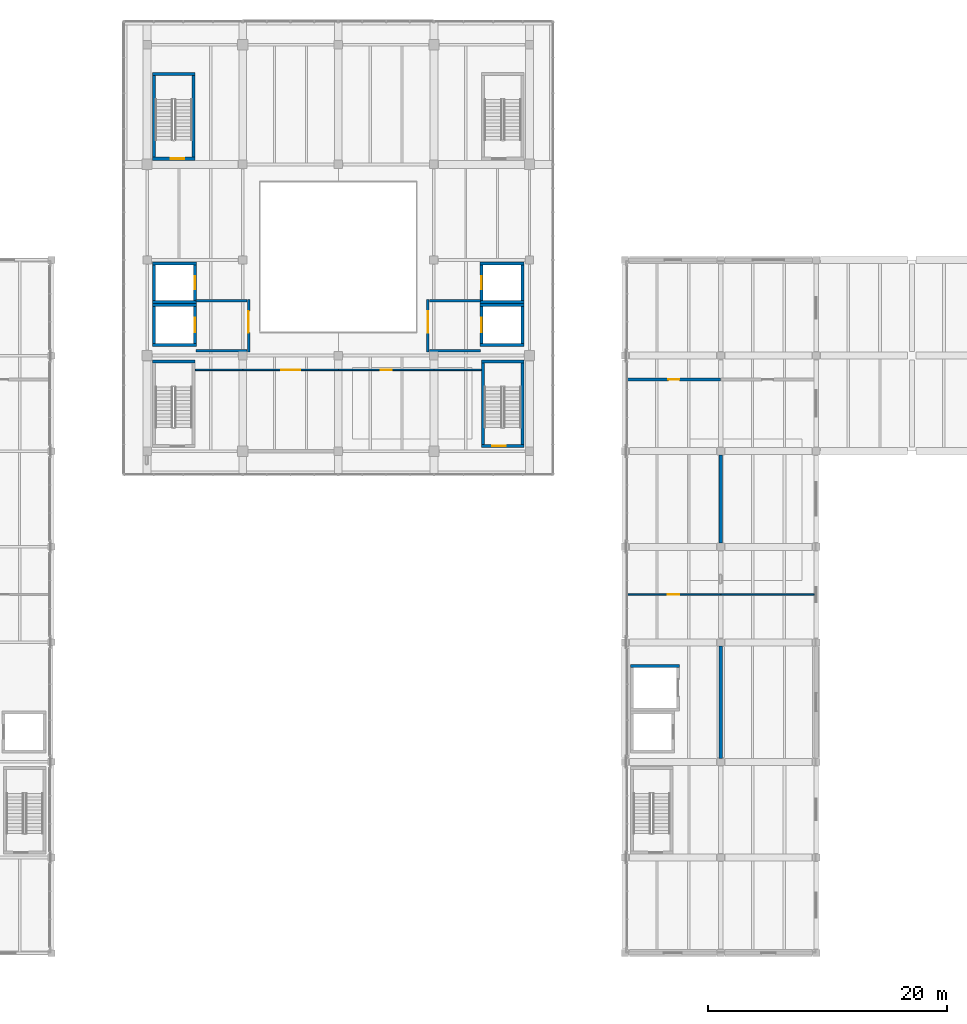
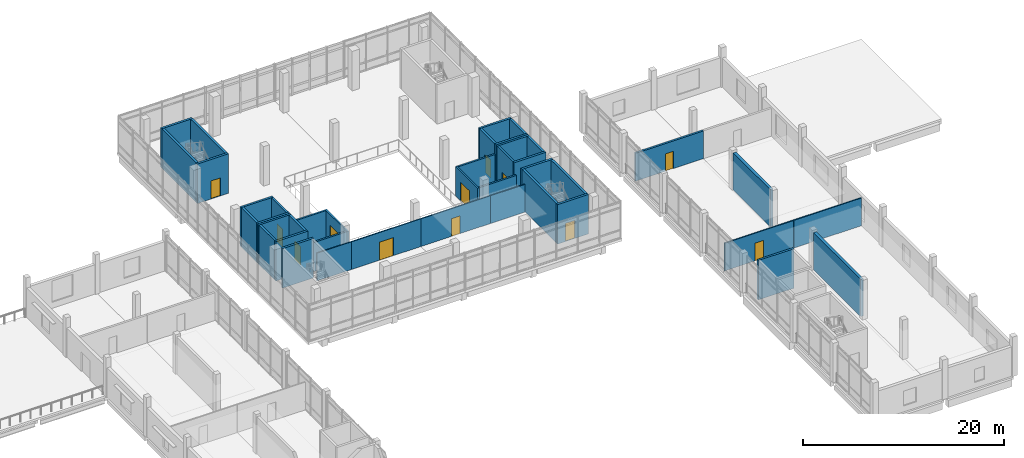
# One storey, part 35 of 47: 41 walls, 12 doors, 12 openings.
"""IFC4 building model written with IfcOpenShell, lengths in metres."""

from ifc_helpers import new_model, si_unit, direction, frame, frame_2d, origin, place, context, subcontext, project, spatial, rectangle, extrude, material, layer, layer_set, type_object, element, fill, save


model = new_model("IFC4")

# Units and contexts
model_context = context("Model", 3, precision=1e-05, world=origin(), true_north=direction((0.0, 1.0)))
body_context = subcontext(model_context, "Body", "Model", "MODEL_VIEW")
ifc_project = project(units=[si_unit("LENGTHUNIT", "METRE"), si_unit("AREAUNIT", "SQUARE_METRE"), si_unit("VOLUMEUNIT", "CUBIC_METRE"), si_unit("PLANEANGLEUNIT", "RADIAN"), si_unit("MASSUNIT", "GRAM", prefix="KILO")], contexts=[model_context])

# Site, building, storey
site_placement = place(None, origin())
site = spatial("IfcSite", under=ifc_project, at=site_placement, CompositionType="ELEMENT")
building_placement = place(site_placement, origin())
building = spatial("IfcBuilding", under=site, at=building_placement, Name="Pecanmere Concourse Central Library", CompositionType="ELEMENT")
storey_placement = place(building_placement, frame((0.0, 0.0, 15.300048828125)))
storey = spatial("IfcBuildingStorey", under=building, at=storey_placement, Name="L04", CompositionType="ELEMENT", Elevation=15.300048828125)

# Wall
ifc_material_1 = material(Name="Fire-rated gypsum board on acoustic steel stud", Category="steel")
ifc_layer_1 = layer(ifc_material_1, 0.114990234375, Name="IW_PART_115")
ifc_layer_set_1 = layer_set([ifc_layer_1], Name="Fire-rated gypsum board on acoustic steel stud")
wall_type_1 = type_object("IfcWallType", Name="IW_PART_115", PredefinedType="PARTITIONING", material=ifc_layer_set_1)
wall_1_placement = place(storey_placement, frame((76.030029296875, 96.800048828125, 0.0), z_axis=(0.0, 0.0, 1.0), x_axis=(1.0, 0.0, 0.0)))
element("IfcWall", 1, at=wall_1_placement, inside=storey, type_object=wall_type_1, Name="Interior Partition L04-0200", PredefinedType="PARTITIONING", context=body_context, shape_type="SweptSolid", body=[
    extrude(rectangle(XDim=3.969970703125, YDim=0.114990234375, at=frame_2d((1.98486328125, 0.0))), origin(), (0.0, 0.0, 1.0), 3.369873046875),
])

# Wall, opening, door
wall_2_placement = place(storey_placement, frame((80.02001953125, 96.800048828125, 0.0), z_axis=(0.0, 0.0, 1.0), x_axis=(1.0, 0.0, 0.0)))
wall_2 = element("IfcWall", 2, at=wall_2_placement, inside=storey, type_object=wall_type_1, Name="Interior Partition L04-0201", PredefinedType="PARTITIONING", context=body_context, shape_type="SweptSolid", body=[
    extrude(rectangle(XDim=7.97998046875, YDim=0.114990234375, at=frame_2d((3.989990234375, 0.0))), origin(), (0.0, 0.0, 1.0), 3.369873046875),
])
opening_1_placement = place(wall_2_placement, frame((3.18994140625, 0.0, 0.0)))
opening_1 = element("IfcOpeningElement", 3, at=opening_1_placement, cuts=wall_2, Name="Opening DT-02", PredefinedType="OPENING", context=body_context, shape_type="SweptSolid", body=[
    extrude(rectangle(XDim=1.60009765625, YDim=2.199951171875, at=frame_2d((0.800048828125, 1.10009765625))), frame((0.0, 0.0693359375, 0.0), z_axis=(0.0, -1.0, 0.0), x_axis=(1.0, 0.0, 0.0)), (0.0, 0.0, 1.0), 0.138916015625),
])
ifc_material_2 = material(Name="Solid white oak architectural joinery")
door_type_1 = type_object("IfcDoorType", Name="DT-02", OperationType="DOUBLE_DOOR_SINGLE_SWING", PredefinedType="DOOR", material=ifc_material_2)
door_1_placement = place(opening_1_placement, origin())
door_1 = element("IfcDoor", 4, at=door_1_placement, inside=storey, type_object=door_type_1, Name="D-224", OperationType="DOUBLE_DOOR_SINGLE_SWING", OverallHeight=2.199951171875, OverallWidth=1.60009765625, PredefinedType="DOOR", context=body_context, shape_type="SweptSolid", body=[
    extrude(rectangle(XDim=1.60009765625, YDim=2.199951171875, at=frame_2d((0.800048828125, 1.10009765625))), frame((0.0, 0.02490234375, 0.0), z_axis=(0.0, -1.0, 0.0), x_axis=(1.0, 0.0, 0.0)), (0.0, 0.0, 1.0), 0.050048828125),
])
fill(opening_1, door_1)

wall_3_placement = place(storey_placement, frame((88.02001953125, 96.800048828125, 0.0), z_axis=(0.0, 0.0, 1.0), x_axis=(1.0, 0.0, 0.0)))
wall_3 = element("IfcWall", 5, at=wall_3_placement, inside=storey, type_object=wall_type_1, Name="Interior Partition L04-0202", PredefinedType="PARTITIONING", context=body_context, shape_type="SweptSolid", body=[
    extrude(rectangle(XDim=7.97998046875, YDim=0.114990234375, at=frame_2d((3.989990234375, 0.0))), origin(), (0.0, 0.0, 1.0), 3.369873046875),
])
opening_2_placement = place(wall_3_placement, frame((3.514892578125, 0.0, 0.0)))
opening_2 = element("IfcOpeningElement", 6, at=opening_2_placement, cuts=wall_3, Name="Opening DT-06", PredefinedType="OPENING", context=body_context, shape_type="SweptSolid", body=[
    extrude(rectangle(XDim=0.949951171875, YDim=2.14990234375, at=frame_2d((0.47509765625, 1.074951171875))), frame((0.0, 0.0693359375, 0.0), z_axis=(0.0, -1.0, 0.0), x_axis=(1.0, 0.0, 0.0)), (0.0, 0.0, 1.0), 0.138916015625),
])
ifc_material_3 = material(Name="Solid white oak architectural joinery")
door_type_2 = type_object("IfcDoorType", Name="DT-06", OperationType="SINGLE_SWING_RIGHT", PredefinedType="DOOR", material=ifc_material_3)
door_2_placement = place(opening_2_placement, frame((0.949951171875, 0.0, 0.0), z_axis=(0.0, 0.0, 1.0), x_axis=(-1.0, 0.0, 0.0)))
door_2 = element("IfcDoor", 7, at=door_2_placement, inside=storey, type_object=door_type_2, Name="D-225", OperationType="SINGLE_SWING_RIGHT", OverallHeight=2.14990234375, OverallWidth=0.949951171875, PredefinedType="DOOR", context=body_context, shape_type="SweptSolid", body=[
    extrude(rectangle(XDim=0.949951171875, YDim=2.14990234375, at=frame_2d((0.47509765625, 1.074951171875))), frame((0.0, 0.02490234375, 0.0), z_axis=(0.0, -1.0, 0.0), x_axis=(1.0, 0.0, 0.0)), (0.0, 0.0, 1.0), 0.050048828125),
])
fill(opening_2, door_2)

# Wall
wall_4_placement = place(storey_placement, frame((96.02001953125, 96.800048828125, 0.0), z_axis=(0.0, 0.0, 1.0), x_axis=(1.0, 0.0, 0.0)))
element("IfcWall", 8, at=wall_4_placement, inside=storey, type_object=wall_type_1, Name="Interior Partition L04-0203", PredefinedType="PARTITIONING", context=body_context, shape_type="SweptSolid", body=[
    extrude(rectangle(XDim=3.949951171875, YDim=0.114990234375, at=frame_2d((1.97509765625, 0.0))), origin(), (0.0, 0.0, 1.0), 3.369873046875),
])

# Wall, opening, door
ifc_material_4 = material(Name="Fire-rated gypsum board on acoustic steel stud", Category="steel")
ifc_layer_2 = layer(ifc_material_4, 0.135009765625, Name="IW_PART_135")
ifc_layer_set_2 = layer_set([ifc_layer_2], Name="Fire-rated gypsum board on acoustic steel stud")
wall_type_2 = type_object("IfcWallType", Name="IW_PART_135", PredefinedType="PARTITIONING", material=ifc_layer_set_2)
wall_5_placement = place(storey_placement, frame((112.10009765625, 78.0, 0.0), z_axis=(0.0, 0.0, 1.0), x_axis=(1.0, 0.0, 0.0)))
wall_5 = element("IfcWall", 9, at=wall_5_placement, inside=storey, type_object=wall_type_2, Name="Interior Partition L04-0192", PredefinedType="PARTITIONING", context=body_context, shape_type="SweptSolid", body=[
    extrude(rectangle(XDim=7.89990234375, YDim=0.135009765625, at=frame_2d((3.949951171875, 0.0))), origin(), (0.0, 0.0, 1.0), 3.369873046875),
])
opening_3_placement = place(wall_5_placement, frame((3.449951171875, 0.0, 0.0)))
opening_3 = element("IfcOpeningElement", 10, at=opening_3_placement, cuts=wall_5, Name="Opening DT-03", PredefinedType="OPENING", context=body_context, shape_type="SweptSolid", body=[
    extrude(rectangle(XDim=1.0, YDim=2.14990234375, at=frame_2d((0.5, 1.074951171875))), frame((0.0, 0.07958984375, 0.0), z_axis=(0.0, -1.0, 0.0), x_axis=(1.0, 0.0, 0.0)), (0.0, 0.0, 1.0), 0.158935546875),
])
ifc_material_5 = material(Name="Solid white oak architectural joinery")
door_type_3 = type_object("IfcDoorType", Name="DT-03", OperationType="SINGLE_SWING_LEFT", PredefinedType="DOOR", material=ifc_material_5)
door_3_placement = place(opening_3_placement, frame((1.0, 0.0, 0.0), z_axis=(0.0, 0.0, 1.0), x_axis=(-1.0, 0.0, 0.0)))
door_3 = element("IfcDoor", 11, at=door_3_placement, inside=storey, type_object=door_type_3, Name="D-217", OperationType="SINGLE_SWING_LEFT", OverallHeight=2.14990234375, OverallWidth=1.0, PredefinedType="DOOR", context=body_context, shape_type="SweptSolid", body=[
    extrude(rectangle(XDim=1.0, YDim=2.14990234375, at=frame_2d((0.5, 1.074951171875))), frame((0.0, 0.02490234375, 0.0), z_axis=(0.0, -1.0, 0.0), x_axis=(1.0, 0.0, 0.0)), (0.0, 0.0, 1.0), 0.050048828125),
])
fill(opening_3, door_3)

# Walls
wall_6_placement = place(storey_placement, frame((120.02001953125, 78.0, 0.0), z_axis=(0.0, 0.0, 1.0), x_axis=(1.0, 0.0, 0.0)))
element("IfcWall", 12, at=wall_6_placement, inside=storey, type_object=wall_type_2, Name="Interior Partition L04-0193", PredefinedType="PARTITIONING", context=body_context, shape_type="SweptSolid", body=[
    extrude(rectangle(XDim=7.794921875, YDim=0.135009765625, at=frame_2d((3.8974609375, 0.0))), origin(), (0.0, 0.0, 1.0), 3.369873046875),
])
ifc_material_6 = material(Name="Fire-rated gypsum board on acoustic steel stud", Category="steel")
ifc_layer_3 = layer(ifc_material_6, 0.199951171875, Name="IW_PART_200")
ifc_layer_set_3 = layer_set([ifc_layer_3], Name="Fire-rated gypsum board on acoustic steel stud")
wall_type_3 = type_object("IfcWallType", Name="IW_PART_200", PredefinedType="PARTITIONING", material=ifc_layer_set_3)
for number, where, z_axis, x_axis, name in (
    (13, (76.10009765625, 98.39990234375, 0.0), (0.0, 0.0, 1.0), (1.0, 0.0, 0.0), "Firefighting Lobby Wall W-L04-S"),
    (14, (76.10009765625, 102.60009765625, 0.0), (0.0, 0.0, 1.0), (1.0, 0.0, 0.0), "Firefighting Lobby Wall W-L04-N"),
):
    element("IfcWall", number, at=place(storey_placement, frame(where, z_axis=z_axis, x_axis=x_axis)), inside=storey, type_object=wall_type_3, Name=name, PredefinedType="PARTITIONING", context=body_context, shape_type="SweptSolid", body=[
        extrude(rectangle(XDim=4.27978515625, YDim=0.199951171875, at=frame_2d((2.139892578125, 0.0))), origin(), (0.0, 0.0, 1.0), 3.5400390625),
    ])

# Wall, opening, door
wall_7_placement = place(storey_placement, frame((80.5, 98.300048828125, 0.0), z_axis=(0.0, 0.0, 1.0), x_axis=(0.0, 1.0, 0.0)))
wall_7 = element("IfcWall", 15, at=wall_7_placement, inside=storey, type_object=wall_type_3, Name="Firefighting Lobby Door Wall W-L04", PredefinedType="PARTITIONING", context=body_context, shape_type="SweptSolid", body=[
    extrude(rectangle(XDim=4.39990234375, YDim=0.199951171875, at=frame_2d((2.199951171875, 0.0))), origin(), (0.0, 0.0, 1.0), 3.5400390625),
])
opening_4_placement = place(wall_7_placement, frame((1.6201171875, 0.0, 0.0)))
opening_4 = element("IfcOpeningElement", 16, at=opening_4_placement, cuts=wall_7, Name="Opening FD-03", PredefinedType="OPENING", context=body_context, shape_type="SweptSolid", body=[
    extrude(rectangle(XDim=1.800048828125, YDim=2.25, at=frame_2d((0.89990234375, 1.125))), frame((0.0, 0.11181640625, 0.0), z_axis=(0.0, -1.0, 0.0), x_axis=(1.0, 0.0, 0.0)), (0.0, 0.0, 1.0), 0.223876953125),
])
ifc_material_7 = material(Name="Painted architectural steel ASTM A36", Category="steel")
door_type_4 = type_object("IfcDoorType", Name="FD-03", OperationType="DOUBLE_DOOR_SINGLE_SWING", PredefinedType="DOOR", material=ifc_material_7)
door_4_placement = place(opening_4_placement, origin())
door_4 = element("IfcDoor", 17, at=door_4_placement, inside=storey, type_object=door_type_4, Name="D-117", OperationType="DOUBLE_DOOR_SINGLE_SWING", OverallHeight=2.25, OverallWidth=1.800048828125, PredefinedType="DOOR", context=body_context, shape_type="SweptSolid", body=[
    extrude(rectangle(XDim=1.800048828125, YDim=2.25, at=frame_2d((0.89990234375, 1.125))), frame((0.0, 0.02490234375, 0.0), z_axis=(0.0, -1.0, 0.0), x_axis=(1.0, 0.0, 0.0)), (0.0, 0.0, 1.0), 0.050048828125),
])
fill(opening_4, door_4)

# Walls
for number, where, z_axis, x_axis, name in (
    (18, (95.6201171875, 98.39990234375, 0.0), (0.0, 0.0, 1.0), (1.0, 0.0, 0.0), "Firefighting Lobby Wall E-L04-S"),
    (19, (95.6201171875, 102.60009765625, 0.0), (0.0, 0.0, 1.0), (1.0, 0.0, 0.0), "Firefighting Lobby Wall E-L04-N"),
):
    element("IfcWall", number, at=place(storey_placement, frame(where, z_axis=z_axis, x_axis=x_axis)), inside=storey, type_object=wall_type_3, Name=name, PredefinedType="PARTITIONING", context=body_context, shape_type="SweptSolid", body=[
        extrude(rectangle(XDim=4.27978515625, YDim=0.199951171875, at=frame_2d((2.139892578125, 0.0))), origin(), (0.0, 0.0, 1.0), 3.5400390625),
    ])

# Wall, opening, door
wall_8_placement = place(storey_placement, frame((95.5, 98.300048828125, 0.0), z_axis=(0.0, 0.0, 1.0), x_axis=(0.0, 1.0, 0.0)))
wall_8 = element("IfcWall", 20, at=wall_8_placement, inside=storey, type_object=wall_type_3, Name="Firefighting Lobby Door Wall E-L04", PredefinedType="PARTITIONING", context=body_context, shape_type="SweptSolid", body=[
    extrude(rectangle(XDim=4.39990234375, YDim=0.199951171875, at=frame_2d((2.199951171875, 0.0))), origin(), (0.0, 0.0, 1.0), 3.5400390625),
])
opening_5_placement = place(wall_8_placement, frame((1.6201171875, 0.0, 0.0)))
opening_5 = element("IfcOpeningElement", 21, at=opening_5_placement, cuts=wall_8, Name="Opening FD-03", PredefinedType="OPENING", context=body_context, shape_type="SweptSolid", body=[
    extrude(rectangle(XDim=1.800048828125, YDim=2.25, at=frame_2d((0.89990234375, 1.125))), frame((0.0, 0.11181640625, 0.0), z_axis=(0.0, -1.0, 0.0), x_axis=(1.0, 0.0, 0.0)), (0.0, 0.0, 1.0), 0.223876953125),
])
door_5_placement = place(opening_5_placement, origin())
door_5 = element("IfcDoor", 22, at=door_5_placement, inside=storey, type_object=door_type_4, Name="D-118", OperationType="DOUBLE_DOOR_SINGLE_SWING", OverallHeight=2.25, OverallWidth=1.800048828125, PredefinedType="DOOR", context=body_context, shape_type="SweptSolid", body=[
    extrude(rectangle(XDim=1.800048828125, YDim=2.25, at=frame_2d((0.89990234375, 1.125))), frame((0.0, 0.02490234375, 0.0), z_axis=(0.0, -1.0, 0.0), x_axis=(1.0, 0.0, 0.0)), (0.0, 0.0, 1.0), 0.050048828125),
])
fill(opening_5, door_5)

ifc_material_8 = material(Name="Concrete masonry unit ASTM C90", Category="masonry")
ifc_layer_4 = layer(ifc_material_8, 0.22509765625, Name="IW_PLUMB_225")
ifc_layer_set_4 = layer_set([ifc_layer_4], Name="Concrete masonry unit ASTM C90")
wall_type_4 = type_object("IfcWallType", Name="IW_PLUMB_225", PredefinedType="PARTITIONING", material=ifc_layer_set_4)
wall_9_placement = place(storey_placement, frame((112.179931640625, 96.0, 0.0), z_axis=(0.0, 0.0, 1.0), x_axis=(1.0, 0.0, 0.0)))
wall_9 = element("IfcWall", 23, at=wall_9_placement, inside=storey, type_object=wall_type_4, Name="Interior Partition L04-0196", PredefinedType="PARTITIONING", context=body_context, shape_type="SweptSolid", body=[
    extrude(rectangle(XDim=7.820068359375, YDim=0.22509765625, at=frame_2d((3.91015625, 0.0))), origin(), (0.0, 0.0, 1.0), 3.369873046875),
])
opening_6_placement = place(wall_9_placement, frame((3.449951171875, 0.0, 0.0)))
opening_6 = element("IfcOpeningElement", 24, at=opening_6_placement, cuts=wall_9, Name="Opening DT-07", PredefinedType="OPENING", context=body_context, shape_type="SweptSolid", body=[
    extrude(rectangle(XDim=0.919921875, YDim=2.10009765625, at=frame_2d((0.4599609375, 1.050048828125))), frame((0.0, 0.12451171875, 0.0), z_axis=(0.0, -1.0, 0.0), x_axis=(1.0, 0.0, 0.0)), (0.0, 0.0, 1.0), 0.2490234375),
])
ifc_material_9 = material(Name="Solid white oak architectural joinery")
door_type_5 = type_object("IfcDoorType", Name="DT-07", OperationType="SINGLE_SWING_LEFT", PredefinedType="DOOR", material=ifc_material_9)
door_6_placement = place(opening_6_placement, origin())
door_6 = element("IfcDoor", 25, at=door_6_placement, inside=storey, type_object=door_type_5, Name="D-220", OperationType="SINGLE_SWING_LEFT", OverallHeight=2.10009765625, OverallWidth=0.919921875, PredefinedType="DOOR", context=body_context, shape_type="SweptSolid", body=[
    extrude(rectangle(XDim=0.919921875, YDim=2.10009765625, at=frame_2d((0.4599609375, 1.050048828125))), frame((0.0, 0.02490234375, 0.0), z_axis=(0.0, -1.0, 0.0), x_axis=(1.0, 0.0, 0.0)), (0.0, 0.0, 1.0), 0.050048828125),
])
fill(opening_6, door_6)

# Walls
ifc_material_10 = material(Name="Concrete C40/50", Category="concrete")
ifc_layer_5 = layer(ifc_material_10, 0.320068359375, Name="WALL_SHR_320")
ifc_layer_set_5 = layer_set([ifc_layer_5], Name="Concrete C40/50")
wall_type_5 = type_object("IfcWallType", Name="WALL_SHR_320", PredefinedType="SHEAR", material=ifc_layer_set_5)
wall_10_placement = place(storey_placement, frame((120.0, 64.300048828125, 0.0), z_axis=(0.0, 0.0, 1.0), x_axis=(0.0, 1.0, 0.0)))
element("IfcWall", 26, at=wall_10_placement, inside=storey, type_object=wall_type_5, Name="Lateral Shear Wall L04-005", PredefinedType="SHEAR", context=body_context, shape_type="SweptSolid", body=[
    extrude(rectangle(XDim=9.39990234375, YDim=0.320068359375, at=frame_2d((4.699951171875, 0.0))), origin(), (0.0, 0.0, 1.0), 4.52001953125),
])
wall_11_placement = place(storey_placement, frame((120.0, 82.300048828125, 0.0), z_axis=(0.0, 0.0, 1.0), x_axis=(0.0, 1.0, 0.0)))
element("IfcWall", 27, at=wall_11_placement, inside=storey, type_object=wall_type_5, Name="Lateral Shear Wall L04-011", PredefinedType="SHEAR", context=body_context, shape_type="SweptSolid", body=[
    extrude(rectangle(XDim=7.39990234375, YDim=0.320068359375, at=frame_2d((3.699951171875, 0.0))), origin(), (0.0, 0.0, 1.0), 4.52001953125),
])
ifc_material_11 = material(Name="Concrete C40/50", Category="concrete")
ifc_layer_6 = layer(ifc_material_11, 0.239990234375, Name="WALL_SLD_240")
ifc_layer_set_6 = layer_set([ifc_layer_6], Name="Concrete C40/50")
wall_type_6 = type_object("IfcWallType", Name="WALL_SLD_240", PredefinedType="SOLIDWALL", material=ifc_layer_set_6)
for number, where, z_axis, x_axis, name in (
    (28, (72.4599609375, 98.8798828125, 0.0), (0.0, 0.0, 1.0), (1.0, 0.0, 0.0), "Hoistway Wall LF-01 L04-S"),
    (29, (72.4599609375, 102.219970703125, 0.0), (0.0, 0.0, 1.0), (1.0, 0.0, 0.0), "Hoistway Wall LF-01 L04-N"),
):
    element("IfcWall", number, at=place(storey_placement, frame(where, z_axis=z_axis, x_axis=x_axis)), inside=storey, type_object=wall_type_6, Name=name, PredefinedType="SOLIDWALL", context=body_context, shape_type="SweptSolid", body=[
        extrude(rectangle(XDim=3.679931640625, YDim=0.239990234375, at=frame_2d((1.83984375, 0.0))), origin(), (0.0, 0.0, 1.0), 4.800048828125),
    ])
wall_12_placement = place(storey_placement, frame((72.580078125, 99.0, 0.0), z_axis=(0.0, 0.0, 1.0), x_axis=(0.0, 1.0, 0.0)))
element("IfcWall", 30, at=wall_12_placement, inside=storey, type_object=wall_type_6, Name="Hoistway Wall LF-01 L04-W", PredefinedType="SOLIDWALL", context=body_context, shape_type="SweptSolid", body=[
    extrude(rectangle(XDim=3.10009765625, YDim=0.239990234375, at=frame_2d((1.550048828125, 0.0))), origin(), (0.0, 0.0, 1.0), 4.800048828125),
])

# Wall, opening, door
wall_13_placement = place(storey_placement, frame((76.02001953125, 99.0, 0.0), z_axis=(0.0, 0.0, 1.0), x_axis=(0.0, 1.0, 0.0)))
wall_13 = element("IfcWall", 31, at=wall_13_placement, inside=storey, type_object=wall_type_6, Name="Hoistway Wall LF-01 L04-E", PredefinedType="SOLIDWALL", context=body_context, shape_type="SweptSolid", body=[
    extrude(rectangle(XDim=3.10009765625, YDim=0.239990234375, at=frame_2d((1.550048828125, 0.0))), origin(), (0.0, 0.0, 1.0), 4.800048828125),
])
opening_7_placement = place(wall_13_placement, frame((0.949951171875, 0.0, 0.0)))
opening_7 = element("IfcOpeningElement", 32, at=opening_7_placement, cuts=wall_13, Name="Opening LD-02", PredefinedType="OPENING", context=body_context, shape_type="SweptSolid", body=[
    extrude(rectangle(XDim=1.199951171875, YDim=2.199951171875, at=frame_2d((0.60009765625, 1.10009765625))), frame((0.0, 0.1318359375, 0.0), z_axis=(0.0, -1.0, 0.0), x_axis=(1.0, 0.0, 0.0)), (0.0, 0.0, 1.0), 0.263916015625),
])
ifc_material_12 = material(Name="Brushed stainless steel Grade 316", Category="steel")
door_type_6 = type_object("IfcDoorType", Name="LD-02", OperationType="DOUBLE_DOOR_SLIDING", PredefinedType="DOOR", material=ifc_material_12)
door_7_placement = place(opening_7_placement, origin())
door_7 = element("IfcDoor", 33, at=door_7_placement, inside=storey, type_object=door_type_6, Name="LD-LF-01-L04", OperationType="DOUBLE_DOOR_SLIDING", OverallHeight=2.199951171875, OverallWidth=1.199951171875, PredefinedType="DOOR", context=body_context, shape_type="SweptSolid", body=[
    extrude(rectangle(XDim=1.199951171875, YDim=2.199951171875, at=frame_2d((0.60009765625, 1.10009765625))), frame((0.0, 0.02490234375, 0.0), z_axis=(0.0, -1.0, 0.0), x_axis=(1.0, 0.0, 0.0)), (0.0, 0.0, 1.0), 0.050048828125),
])
fill(opening_7, door_7)

# Walls
for number, where, z_axis, x_axis, name in (
    (34, (72.4599609375, 102.47998046875, 0.0), (0.0, 0.0, 1.0), (1.0, 0.0, 0.0), "Hoistway Wall LP-01 L04-S"),
    (35, (72.4599609375, 105.719970703125, 0.0), (0.0, 0.0, 1.0), (1.0, 0.0, 0.0), "Hoistway Wall LP-01 L04-N"),
):
    element("IfcWall", number, at=place(storey_placement, frame(where, z_axis=z_axis, x_axis=x_axis)), inside=storey, type_object=wall_type_6, Name=name, PredefinedType="SOLIDWALL", context=body_context, shape_type="SweptSolid", body=[
        extrude(rectangle(XDim=3.679931640625, YDim=0.239990234375, at=frame_2d((1.83984375, 0.0))), origin(), (0.0, 0.0, 1.0), 4.800048828125),
    ])
wall_14_placement = place(storey_placement, frame((72.580078125, 102.60009765625, 0.0), z_axis=(0.0, 0.0, 1.0), x_axis=(0.0, 1.0, 0.0)))
element("IfcWall", 36, at=wall_14_placement, inside=storey, type_object=wall_type_6, Name="Hoistway Wall LP-01 L04-W", PredefinedType="SOLIDWALL", context=body_context, shape_type="SweptSolid", body=[
    extrude(rectangle(XDim=3.0, YDim=0.239990234375, at=frame_2d((1.5, 0.0))), origin(), (0.0, 0.0, 1.0), 4.800048828125),
])

# Wall, opening, door
wall_15_placement = place(storey_placement, frame((76.02001953125, 102.60009765625, 0.0), z_axis=(0.0, 0.0, 1.0), x_axis=(0.0, 1.0, 0.0)))
wall_15 = element("IfcWall", 37, at=wall_15_placement, inside=storey, type_object=wall_type_6, Name="Hoistway Wall LP-01 L04-E", PredefinedType="SOLIDWALL", context=body_context, shape_type="SweptSolid", body=[
    extrude(rectangle(XDim=3.0, YDim=0.239990234375, at=frame_2d((1.5, 0.0))), origin(), (0.0, 0.0, 1.0), 4.800048828125),
])
opening_8_placement = place(wall_15_placement, frame((0.949951171875, 0.0, 0.0)))
opening_8 = element("IfcOpeningElement", 38, at=opening_8_placement, cuts=wall_15, Name="Opening LD-01", PredefinedType="OPENING", context=body_context, shape_type="SweptSolid", body=[
    extrude(rectangle(XDim=1.10009765625, YDim=2.199951171875, at=frame_2d((0.550048828125, 1.10009765625))), frame((0.0, 0.1318359375, 0.0), z_axis=(0.0, -1.0, 0.0), x_axis=(1.0, 0.0, 0.0)), (0.0, 0.0, 1.0), 0.263916015625),
])
ifc_material_13 = material(Name="Brushed stainless steel Grade 316", Category="steel")
door_type_7 = type_object("IfcDoorType", Name="LD-01", OperationType="DOUBLE_DOOR_SLIDING", PredefinedType="DOOR", material=ifc_material_13)
door_8_placement = place(opening_8_placement, origin())
door_8 = element("IfcDoor", 39, at=door_8_placement, inside=storey, type_object=door_type_7, Name="LD-LP-01-L04", OperationType="DOUBLE_DOOR_SLIDING", OverallHeight=2.199951171875, OverallWidth=1.10009765625, PredefinedType="DOOR", context=body_context, shape_type="SweptSolid", body=[
    extrude(rectangle(XDim=1.10009765625, YDim=2.199951171875, at=frame_2d((0.550048828125, 1.10009765625))), frame((0.0, 0.02490234375, 0.0), z_axis=(0.0, -1.0, 0.0), x_axis=(1.0, 0.0, 0.0)), (0.0, 0.0, 1.0), 0.050048828125),
])
fill(opening_8, door_8)

# Walls
for number, where, z_axis, x_axis, name in (
    (40, (99.860107421875, 98.8798828125, 0.0), (0.0, 0.0, 1.0), (1.0, 0.0, 0.0), "Hoistway Wall LF-02 L04-S"),
    (41, (99.860107421875, 102.219970703125, 0.0), (0.0, 0.0, 1.0), (1.0, 0.0, 0.0), "Hoistway Wall LF-02 L04-N"),
):
    element("IfcWall", number, at=place(storey_placement, frame(where, z_axis=z_axis, x_axis=x_axis)), inside=storey, type_object=wall_type_6, Name=name, PredefinedType="SOLIDWALL", context=body_context, shape_type="SweptSolid", body=[
        extrude(rectangle(XDim=3.679931640625, YDim=0.239990234375, at=frame_2d((1.83984375, 0.0))), origin(), (0.0, 0.0, 1.0), 4.800048828125),
    ])

# Wall, opening, door
wall_16_placement = place(storey_placement, frame((99.97998046875, 99.0, 0.0), z_axis=(0.0, 0.0, 1.0), x_axis=(0.0, 1.0, 0.0)))
wall_16 = element("IfcWall", 42, at=wall_16_placement, inside=storey, type_object=wall_type_6, Name="Hoistway Wall LF-02 L04-W", PredefinedType="SOLIDWALL", context=body_context, shape_type="SweptSolid", body=[
    extrude(rectangle(XDim=3.10009765625, YDim=0.239990234375, at=frame_2d((1.550048828125, 0.0))), origin(), (0.0, 0.0, 1.0), 4.800048828125),
])
opening_9_placement = place(wall_16_placement, frame((0.949951171875, 0.0, 0.0)))
opening_9 = element("IfcOpeningElement", 43, at=opening_9_placement, cuts=wall_16, Name="Opening LD-02", PredefinedType="OPENING", context=body_context, shape_type="SweptSolid", body=[
    extrude(rectangle(XDim=1.199951171875, YDim=2.199951171875, at=frame_2d((0.60009765625, 1.10009765625))), frame((0.0, 0.1318359375, 0.0), z_axis=(0.0, -1.0, 0.0), x_axis=(1.0, 0.0, 0.0)), (0.0, 0.0, 1.0), 0.263916015625),
])
door_9_placement = place(opening_9_placement, origin())
door_9 = element("IfcDoor", 44, at=door_9_placement, inside=storey, type_object=door_type_6, Name="LD-LF-02-L04", OperationType="DOUBLE_DOOR_SLIDING", OverallHeight=2.199951171875, OverallWidth=1.199951171875, PredefinedType="DOOR", context=body_context, shape_type="SweptSolid", body=[
    extrude(rectangle(XDim=1.199951171875, YDim=2.199951171875, at=frame_2d((0.60009765625, 1.10009765625))), frame((0.0, 0.02490234375, 0.0), z_axis=(0.0, -1.0, 0.0), x_axis=(1.0, 0.0, 0.0)), (0.0, 0.0, 1.0), 0.050048828125),
])
fill(opening_9, door_9)

# Walls
wall_17_placement = place(storey_placement, frame((103.419921875, 99.0, 0.0), z_axis=(0.0, 0.0, 1.0), x_axis=(0.0, 1.0, 0.0)))
element("IfcWall", 45, at=wall_17_placement, inside=storey, type_object=wall_type_6, Name="Hoistway Wall LF-02 L04-E", PredefinedType="SOLIDWALL", context=body_context, shape_type="SweptSolid", body=[
    extrude(rectangle(XDim=3.10009765625, YDim=0.239990234375, at=frame_2d((1.550048828125, 0.0))), origin(), (0.0, 0.0, 1.0), 4.800048828125),
])
for number, where, z_axis, x_axis, name in (
    (46, (99.860107421875, 102.47998046875, 0.0), (0.0, 0.0, 1.0), (1.0, 0.0, 0.0), "Hoistway Wall LP-02 L04-S"),
    (47, (99.860107421875, 105.719970703125, 0.0), (0.0, 0.0, 1.0), (1.0, 0.0, 0.0), "Hoistway Wall LP-02 L04-N"),
):
    element("IfcWall", number, at=place(storey_placement, frame(where, z_axis=z_axis, x_axis=x_axis)), inside=storey, type_object=wall_type_6, Name=name, PredefinedType="SOLIDWALL", context=body_context, shape_type="SweptSolid", body=[
        extrude(rectangle(XDim=3.679931640625, YDim=0.239990234375, at=frame_2d((1.83984375, 0.0))), origin(), (0.0, 0.0, 1.0), 4.800048828125),
    ])

# Wall, opening, door
wall_18_placement = place(storey_placement, frame((99.97998046875, 102.60009765625, 0.0), z_axis=(0.0, 0.0, 1.0), x_axis=(0.0, 1.0, 0.0)))
wall_18 = element("IfcWall", 48, at=wall_18_placement, inside=storey, type_object=wall_type_6, Name="Hoistway Wall LP-02 L04-W", PredefinedType="SOLIDWALL", context=body_context, shape_type="SweptSolid", body=[
    extrude(rectangle(XDim=3.0, YDim=0.239990234375, at=frame_2d((1.5, 0.0))), origin(), (0.0, 0.0, 1.0), 4.800048828125),
])
opening_10_placement = place(wall_18_placement, frame((0.949951171875, 0.0, 0.0)))
opening_10 = element("IfcOpeningElement", 49, at=opening_10_placement, cuts=wall_18, Name="Opening LD-01", PredefinedType="OPENING", context=body_context, shape_type="SweptSolid", body=[
    extrude(rectangle(XDim=1.10009765625, YDim=2.199951171875, at=frame_2d((0.550048828125, 1.10009765625))), frame((0.0, 0.1318359375, 0.0), z_axis=(0.0, -1.0, 0.0), x_axis=(1.0, 0.0, 0.0)), (0.0, 0.0, 1.0), 0.263916015625),
])
door_10_placement = place(opening_10_placement, origin())
door_10 = element("IfcDoor", 50, at=door_10_placement, inside=storey, type_object=door_type_7, Name="LD-LP-02-L04", OperationType="DOUBLE_DOOR_SLIDING", OverallHeight=2.199951171875, OverallWidth=1.10009765625, PredefinedType="DOOR", context=body_context, shape_type="SweptSolid", body=[
    extrude(rectangle(XDim=1.10009765625, YDim=2.199951171875, at=frame_2d((0.550048828125, 1.10009765625))), frame((0.0, 0.02490234375, 0.0), z_axis=(0.0, -1.0, 0.0), x_axis=(1.0, 0.0, 0.0)), (0.0, 0.0, 1.0), 0.050048828125),
])
fill(opening_10, door_10)

# Walls
wall_19_placement = place(storey_placement, frame((103.419921875, 102.60009765625, 0.0), z_axis=(0.0, 0.0, 1.0), x_axis=(0.0, 1.0, 0.0)))
element("IfcWall", 51, at=wall_19_placement, inside=storey, type_object=wall_type_6, Name="Hoistway Wall LP-02 L04-E", PredefinedType="SOLIDWALL", context=body_context, shape_type="SweptSolid", body=[
    extrude(rectangle(XDim=3.0, YDim=0.239990234375, at=frame_2d((1.5, 0.0))), origin(), (0.0, 0.0, 1.0), 4.800048828125),
])
wall_20_placement = place(storey_placement, frame((112.4599609375, 72.02001953125, 0.0), z_axis=(0.0, 0.0, 1.0), x_axis=(1.0, 0.0, 0.0)))
element("IfcWall", 52, at=wall_20_placement, inside=storey, type_object=wall_type_6, Name="Hoistway Wall LS-01 L04-N", PredefinedType="SOLIDWALL", context=body_context, shape_type="SweptSolid", body=[
    extrude(rectangle(XDim=4.080078125, YDim=0.239990234375, at=frame_2d((2.0400390625, 0.0))), origin(), (0.0, 0.0, 1.0), 4.800048828125),
])
ifc_material_14 = material(Name="Concrete C40/50", Category="concrete")
ifc_layer_7 = layer(ifc_material_14, 0.260009765625, Name="WALL_SLD_260")
ifc_layer_set_7 = layer_set([ifc_layer_7], Name="Concrete C40/50")
wall_type_7 = type_object("IfcWallType", Name="WALL_SLD_260", PredefinedType="SOLIDWALL", material=ifc_layer_set_7)
wall_21_placement = place(storey_placement, frame((72.43994140625, 97.5, 0.0), z_axis=(0.0, 0.0, 1.0), x_axis=(1.0, 0.0, 0.0)))
element("IfcWall", 53, at=wall_21_placement, inside=storey, type_object=wall_type_7, Name="Core C1 North Wall L04", PredefinedType="SOLIDWALL", context=body_context, shape_type="SweptSolid", body=[
    extrude(rectangle(XDim=3.580078125, YDim=0.260009765625, at=frame_2d((1.7900390625, 0.0))), origin(), (0.0, 0.0, 1.0), 4.800048828125),
])

# Wall, opening, door
wall_22_placement = place(storey_placement, frame((99.97998046875, 90.419921875, 0.0), z_axis=(0.0, 0.0, 1.0), x_axis=(1.0, 0.0, 0.0)))
wall_22 = element("IfcWall", 54, at=wall_22_placement, inside=storey, type_object=wall_type_7, Name="Core C2 South Wall L04", PredefinedType="SOLIDWALL", context=body_context, shape_type="SweptSolid", body=[
    extrude(rectangle(XDim=3.580078125, YDim=0.260009765625, at=frame_2d((1.7900390625, 0.0))), origin(), (0.0, 0.0, 1.0), 4.800048828125),
])
opening_11_placement = place(wall_22_placement, frame((0.919921875, 0.0, 0.0)))
opening_11 = element("IfcOpeningElement", 55, at=opening_11_placement, cuts=wall_22, Name="Opening FD-01", PredefinedType="OPENING", context=body_context, shape_type="SweptSolid", body=[
    extrude(rectangle(XDim=1.10009765625, YDim=2.199951171875, at=frame_2d((0.550048828125, 1.10009765625))), frame((0.0, 0.14208984375, 0.0), z_axis=(0.0, -1.0, 0.0), x_axis=(1.0, 0.0, 0.0)), (0.0, 0.0, 1.0), 0.283935546875),
])
ifc_material_15 = material(Name="Painted architectural steel ASTM A36", Category="steel")
door_type_8 = type_object("IfcDoorType", Name="FD-01", OperationType="SINGLE_SWING_LEFT", PredefinedType="DOOR", material=ifc_material_15)
door_11_placement = place(opening_11_placement, origin())
door_11 = element("IfcDoor", 56, at=door_11_placement, inside=storey, type_object=door_type_8, Name="D-013", OperationType="SINGLE_SWING_LEFT", OverallHeight=2.199951171875, OverallWidth=1.10009765625, PredefinedType="DOOR", context=body_context, shape_type="SweptSolid", body=[
    extrude(rectangle(XDim=1.10009765625, YDim=2.199951171875, at=frame_2d((0.550048828125, 1.10009765625))), frame((0.0, 0.02490234375, 0.0), z_axis=(0.0, -1.0, 0.0), x_axis=(1.0, 0.0, 0.0)), (0.0, 0.0, 1.0), 0.050048828125),
])
fill(opening_11, door_11)

# Walls
wall_23_placement = place(storey_placement, frame((99.97998046875, 97.5, 0.0), z_axis=(0.0, 0.0, 1.0), x_axis=(1.0, 0.0, 0.0)))
element("IfcWall", 57, at=wall_23_placement, inside=storey, type_object=wall_type_7, Name="Core C2 North Wall L04", PredefinedType="SOLIDWALL", context=body_context, shape_type="SweptSolid", body=[
    extrude(rectangle(XDim=3.580078125, YDim=0.260009765625, at=frame_2d((1.7900390625, 0.0))), origin(), (0.0, 0.0, 1.0), 4.800048828125),
])
for number, where, z_axis, x_axis, name in (
    (58, (100.110107421875, 90.550048828125, 0.0), (0.0, 0.0, 1.0), (0.0, 1.0, 0.0), "Core C2 W Wall L04"),
    (59, (103.429931640625, 90.550048828125, 0.0), (0.0, 0.0, 1.0), (0.0, 1.0, 0.0), "Core C2 E Wall L04"),
):
    element("IfcWall", number, at=place(storey_placement, frame(where, z_axis=z_axis, x_axis=x_axis)), inside=storey, type_object=wall_type_7, Name=name, PredefinedType="SOLIDWALL", context=body_context, shape_type="SweptSolid", body=[
        extrude(rectangle(XDim=6.820068359375, YDim=0.260009765625, at=frame_2d((3.41015625, 0.0))), origin(), (0.0, 0.0, 1.0), 4.800048828125),
    ])

# Wall, opening, door
wall_24_placement = place(storey_placement, frame((72.43994140625, 114.469970703125, 0.0), z_axis=(0.0, 0.0, 1.0), x_axis=(1.0, 0.0, 0.0)))
wall_24 = element("IfcWall", 60, at=wall_24_placement, inside=storey, type_object=wall_type_7, Name="Core C3 South Wall L04", PredefinedType="SOLIDWALL", context=body_context, shape_type="SweptSolid", body=[
    extrude(rectangle(XDim=3.580078125, YDim=0.260009765625, at=frame_2d((1.7900390625, 0.0))), origin(), (0.0, 0.0, 1.0), 4.800048828125),
])
opening_12_placement = place(wall_24_placement, frame((1.56005859375, 0.0, 0.0)))
opening_12 = element("IfcOpeningElement", 61, at=opening_12_placement, cuts=wall_24, Name="Opening FD-02", PredefinedType="OPENING", context=body_context, shape_type="SweptSolid", body=[
    extrude(rectangle(XDim=1.10009765625, YDim=2.199951171875, at=frame_2d((0.550048828125, 1.10009765625))), frame((0.0, 0.14208984375, 0.0), z_axis=(0.0, -1.0, 0.0), x_axis=(1.0, 0.0, 0.0)), (0.0, 0.0, 1.0), 0.283935546875),
])
ifc_material_16 = material(Name="Painted architectural steel ASTM A36", Category="steel")
door_type_9 = type_object("IfcDoorType", Name="FD-02", OperationType="SINGLE_SWING_RIGHT", PredefinedType="DOOR", material=ifc_material_16)
door_12_placement = place(opening_12_placement, origin())
door_12 = element("IfcDoor", 62, at=door_12_placement, inside=storey, type_object=door_type_9, Name="D-021", OperationType="SINGLE_SWING_RIGHT", OverallHeight=2.199951171875, OverallWidth=1.10009765625, PredefinedType="DOOR", context=body_context, shape_type="SweptSolid", body=[
    extrude(rectangle(XDim=1.10009765625, YDim=2.199951171875, at=frame_2d((0.550048828125, 1.10009765625))), frame((0.0, 0.02490234375, 0.0), z_axis=(0.0, -1.0, 0.0), x_axis=(1.0, 0.0, 0.0)), (0.0, 0.0, 1.0), 0.050048828125),
])
fill(opening_12, door_12)

# Walls
wall_25_placement = place(storey_placement, frame((72.43994140625, 121.550048828125, 0.0), z_axis=(0.0, 0.0, 1.0), x_axis=(1.0, 0.0, 0.0)))
element("IfcWall", 63, at=wall_25_placement, inside=storey, type_object=wall_type_7, Name="Core C3 North Wall L04", PredefinedType="SOLIDWALL", context=body_context, shape_type="SweptSolid", body=[
    extrude(rectangle(XDim=3.580078125, YDim=0.260009765625, at=frame_2d((1.7900390625, 0.0))), origin(), (0.0, 0.0, 1.0), 4.800048828125),
])
for number, where, z_axis, x_axis, name in (
    (64, (72.570068359375, 114.60009765625, 0.0), (0.0, 0.0, 1.0), (0.0, 1.0, 0.0), "Core C3 W Wall L04"),
    (65, (75.889892578125, 114.60009765625, 0.0), (0.0, 0.0, 1.0), (0.0, 1.0, 0.0), "Core C3 E Wall L04"),
):
    element("IfcWall", number, at=place(storey_placement, frame(where, z_axis=z_axis, x_axis=x_axis)), inside=storey, type_object=wall_type_7, Name=name, PredefinedType="SOLIDWALL", context=body_context, shape_type="SweptSolid", body=[
        extrude(rectangle(XDim=6.81982421875, YDim=0.260009765625, at=frame_2d((3.409912109375, 0.0))), origin(), (0.0, 0.0, 1.0), 4.800048828125),
    ])

save(model, "model.ifc")
